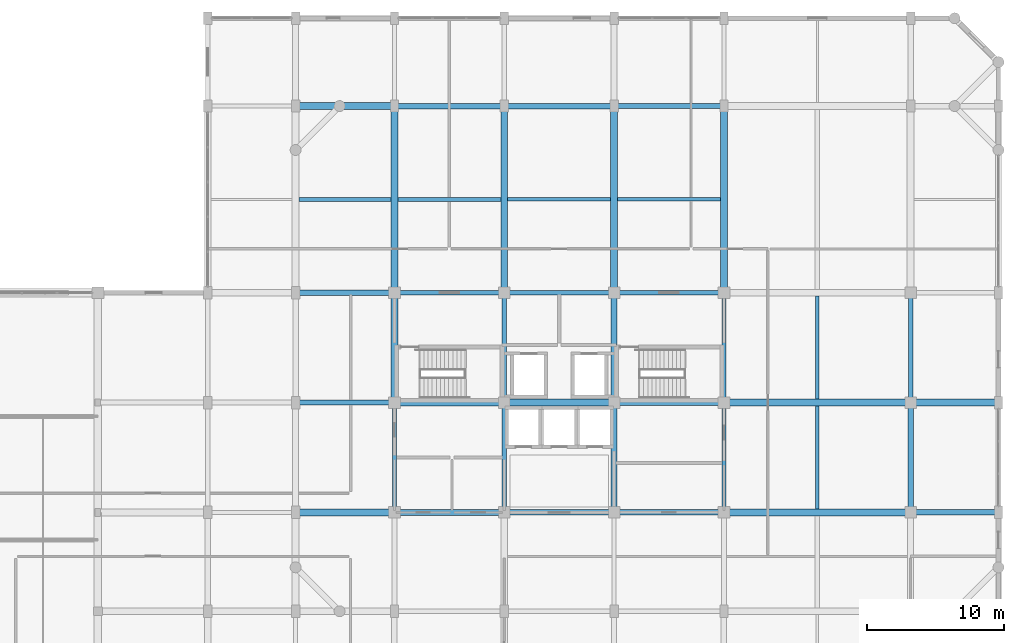
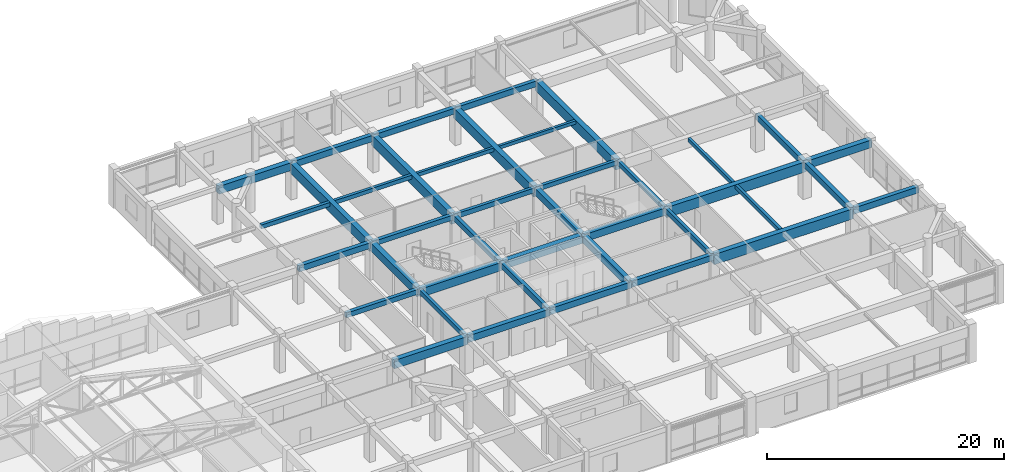
# One storey, part 12 of 27: 40 beams.
"""IFC4 building model written with IfcOpenShell, lengths in metres."""

from ifc_helpers import new_model, si_unit, direction, frame, origin, origin_2d, place, context, subcontext, project, spatial, rectangle, extrude, material, material_profile, profile_set, type_object, element, save


model = new_model("IFC4")

# Units and contexts
model_context = context("Model", 3, precision=1e-05, world=origin(), true_north=direction((0.0, 1.0)))
body_context = subcontext(model_context, "Body", "Model", "MODEL_VIEW")
ifc_project = project(units=[si_unit("LENGTHUNIT", "METRE"), si_unit("AREAUNIT", "SQUARE_METRE"), si_unit("VOLUMEUNIT", "CUBIC_METRE"), si_unit("PLANEANGLEUNIT", "RADIAN"), si_unit("MASSUNIT", "GRAM", prefix="KILO")], contexts=[model_context])

# Site, building, storey
site_placement = place(None, origin())
site = spatial("IfcSite", under=ifc_project, at=site_placement, CompositionType="ELEMENT")
building_placement = place(site_placement, origin())
building = spatial("IfcBuilding", under=site, at=building_placement, Name="Vellmiral Cinema and Media Centre", CompositionType="ELEMENT")
storey_placement = place(building_placement, frame((0.0, 0.0, 19.800048828125)))
storey = spatial("IfcBuildingStorey", under=building, at=storey_placement, Name="L04", CompositionType="ELEMENT", Elevation=19.800048828125)

# Beams
ifc_material_1 = material(Name="Concrete C40/50", Category="concrete")
ifc_material_profile_1 = material_profile(ifc_material_1, rectangle(XDim=0.300048828125, YDim=0.449951171875, at=origin_2d()), Name="RC 300x450")
ifc_profile_set_1 = profile_set([ifc_material_profile_1], Name="Concrete C40/50")
beam_type_1 = type_object("IfcBeamType", Name="BM-RC-300x450", PredefinedType="BEAM", material=ifc_profile_set_1)
for number, where, z_axis, x_axis, name in (
    (1, (140.0, 95.199951171875, 3.469970703125), (1.0, 0.0, 0.0), (0.0, 1.0, 0.0), "Grid Beam L04-X045"),
    (2, (124.0, 79.199951171875, 3.469970703125), (0.0, 1.0, 0.0), (-1.0, 0.0, 0.0), "Grid Beam L04-Y078"),
    (3, (148.0, 87.199951171875, 3.469970703125), (0.0, 1.0, 0.0), (-1.0, 0.0, 0.0), "Grid Beam L04-Y100"),
):
    element("IfcBeam", number, at=place(storey_placement, frame(where, z_axis=z_axis, x_axis=x_axis)), inside=storey, type_object=beam_type_1, Name=name, PredefinedType="BEAM", context=body_context, shape_type="SweptSolid", body=[
        extrude(rectangle(XDim=0.300048828125, YDim=0.449951171875, at=origin_2d()), origin(), (0.0, 0.0, 1.0), 8.0),
    ])
ifc_material_2 = material(Name="Concrete C40/50", Category="concrete")
ifc_material_profile_2 = material_profile(ifc_material_2, rectangle(XDim=0.300048828125, YDim=0.5, at=origin_2d()), Name="RC 300x500")
ifc_profile_set_2 = profile_set([ifc_material_profile_2], Name="Concrete C40/50")
beam_type_2 = type_object("IfcBeamType", Name="BM-RC-300x500", PredefinedType="BEAM", material=ifc_profile_set_2)
for number, where, z_axis, x_axis, name in (
    (4, (132.0, 95.199951171875, 3.445068359375), (1.0, 0.0, 0.0), (0.0, 1.0, 0.0), "Grid Beam L04-X044"),
    (5, (148.0, 79.199951171875, 3.445068359375), (0.0, 1.0, 0.0), (-1.0, 0.0, 0.0), "Grid Beam L04-Y099"),
):
    element("IfcBeam", number, at=place(storey_placement, frame(where, z_axis=z_axis, x_axis=x_axis)), inside=storey, type_object=beam_type_2, Name=name, PredefinedType="BEAM", context=body_context, shape_type="SweptSolid", body=[
        extrude(rectangle(XDim=0.300048828125, YDim=0.5, at=origin_2d()), origin(), (0.0, 0.0, 1.0), 8.0),
    ])
ifc_material_3 = material(Name="Concrete C40/50", Category="concrete")
ifc_material_profile_3 = material_profile(ifc_material_3, rectangle(XDim=0.35009765625, YDim=0.5, at=origin_2d()), Name="RC 350x500")
ifc_profile_set_3 = profile_set([ifc_material_profile_3], Name="Concrete C40/50")
beam_type_3 = type_object("IfcBeamType", Name="BM-RC-350x500", PredefinedType="BEAM", material=ifc_profile_set_3)
beam_1_placement = place(storey_placement, frame((116.800048828125, 87.199951171875, 3.445068359375), z_axis=(1.0, 0.0, 0.0), x_axis=(0.0, 1.0, 0.0)))
element("IfcBeam", 6, at=beam_1_placement, inside=storey, type_object=beam_type_3, Name="Grid Beam L04-X034", PredefinedType="BEAM", context=body_context, shape_type="SweptSolid", body=[
    extrude(rectangle(XDim=0.35009765625, YDim=0.5, at=origin_2d()), origin(), (0.0, 0.0, 1.0), 7.199951171875),
])
beam_2_placement = place(storey_placement, frame((124.0, 95.199951171875, 3.445068359375), z_axis=(1.0, 0.0, 0.0), x_axis=(0.0, 1.0, 0.0)))
element("IfcBeam", 7, at=beam_2_placement, inside=storey, type_object=beam_type_3, Name="Grid Beam L04-X043", PredefinedType="BEAM", context=body_context, shape_type="SweptSolid", body=[
    extrude(rectangle(XDim=0.35009765625, YDim=0.5, at=origin_2d()), origin(), (0.0, 0.0, 1.0), 8.0),
])
ifc_material_4 = material(Name="Concrete C40/50", Category="concrete")
ifc_material_profile_4 = material_profile(ifc_material_4, rectangle(XDim=0.35009765625, YDim=0.550048828125, at=origin_2d()), Name="RC 350x550")
ifc_profile_set_4 = profile_set([ifc_material_profile_4], Name="Concrete C40/50")
beam_type_4 = type_object("IfcBeamType", Name="BM-RC-350x550", PredefinedType="BEAM", material=ifc_profile_set_4)
beam_3_placement = place(storey_placement, frame((132.0, 87.199951171875, 3.419921875), z_axis=(0.0, 1.0, 0.0), x_axis=(-1.0, 0.0, 0.0)))
element("IfcBeam", 8, at=beam_3_placement, inside=storey, type_object=beam_type_4, Name="Grid Beam L04-Y086", PredefinedType="BEAM", context=body_context, shape_type="SweptSolid", body=[
    extrude(rectangle(XDim=0.35009765625, YDim=0.550048828125, at=origin_2d()), origin(), (0.0, 0.0, 1.0), 8.0),
])
ifc_material_5 = material(Name="Concrete C40/50", Category="concrete")
ifc_material_profile_5 = material_profile(ifc_material_5, rectangle(XDim=0.35009765625, YDim=0.60009765625, at=origin_2d()), Name="RC 350x600")
ifc_profile_set_5 = profile_set([ifc_material_profile_5], Name="Concrete C40/50")
beam_type_5 = type_object("IfcBeamType", Name="BM-RC-350x600", PredefinedType="BEAM", material=ifc_profile_set_5)
for number, where, z_axis, x_axis, name in (
    (9, (140.0, 108.800048828125, 3.39501953125), (1.0, 0.0, 0.0), (0.0, 1.0, 0.0), "Grid Beam L04-X052"),
    (10, (132.0, 79.199951171875, 3.39501953125), (0.0, 1.0, 0.0), (-1.0, 0.0, 0.0), "Grid Beam L04-Y085"),
    (11, (161.60009765625, 87.199951171875, 3.39501953125), (0.0, 1.0, 0.0), (-1.0, 0.0, 0.0), "Grid Beam L04-Y107"),
):
    element("IfcBeam", number, at=place(storey_placement, frame(where, z_axis=z_axis, x_axis=x_axis)), inside=storey, type_object=beam_type_5, Name=name, PredefinedType="BEAM", context=body_context, shape_type="SweptSolid", body=[
        extrude(rectangle(XDim=0.35009765625, YDim=0.60009765625, at=origin_2d()), origin(), (0.0, 0.0, 1.0), 8.0),
    ])
ifc_material_6 = material(Name="Concrete C40/50", Category="concrete")
ifc_material_profile_6 = material_profile(ifc_material_6, rectangle(XDim=0.39990234375, YDim=0.60009765625, at=origin_2d()), Name="RC 400x600")
ifc_profile_set_6 = profile_set([ifc_material_profile_6], Name="Concrete C40/50")
beam_type_6 = type_object("IfcBeamType", Name="BM-RC-400x600", PredefinedType="BEAM", material=ifc_profile_set_6)
beam_4_placement = place(storey_placement, frame((140.0, 79.199951171875, 3.39501953125), z_axis=(1.0, 0.0, 0.0), x_axis=(0.0, 1.0, 0.0)))
element("IfcBeam", 12, at=beam_4_placement, inside=storey, type_object=beam_type_6, Name="Grid Beam L04-X029", PredefinedType="BEAM", context=body_context, shape_type="SweptSolid", body=[
    extrude(rectangle(XDim=0.39990234375, YDim=0.60009765625, at=origin_2d()), origin(), (0.0, 0.0, 1.0), 8.0),
])
beam_5_placement = place(storey_placement, frame((116.800048828125, 95.199951171875, 3.39501953125), z_axis=(1.0, 0.0, 0.0), x_axis=(0.0, 1.0, 0.0)))
element("IfcBeam", 13, at=beam_5_placement, inside=storey, type_object=beam_type_6, Name="Grid Beam L04-X042", PredefinedType="BEAM", context=body_context, shape_type="SweptSolid", body=[
    extrude(rectangle(XDim=0.39990234375, YDim=0.60009765625, at=origin_2d()), origin(), (0.0, 0.0, 1.0), 7.199951171875),
])
for number, where, z_axis, x_axis, name in (
    (14, (132.0, 108.800048828125, 3.39501953125), (1.0, 0.0, 0.0), (0.0, 1.0, 0.0), "Grid Beam L04-X051"),
    (15, (161.60009765625, 79.199951171875, 3.39501953125), (0.0, 1.0, 0.0), (-1.0, 0.0, 0.0), "Grid Beam L04-Y106"),
):
    element("IfcBeam", number, at=place(storey_placement, frame(where, z_axis=z_axis, x_axis=x_axis)), inside=storey, type_object=beam_type_6, Name=name, PredefinedType="BEAM", context=body_context, shape_type="SweptSolid", body=[
        extrude(rectangle(XDim=0.39990234375, YDim=0.60009765625, at=origin_2d()), origin(), (0.0, 0.0, 1.0), 8.0),
    ])
ifc_material_7 = material(Name="Concrete C40/50", Category="concrete")
ifc_material_profile_7 = material_profile(ifc_material_7, rectangle(XDim=0.39990234375, YDim=0.64990234375, at=origin_2d()), Name="RC 400x650")
ifc_profile_set_7 = profile_set([ifc_material_profile_7], Name="Concrete C40/50")
beam_type_7 = type_object("IfcBeamType", Name="BM-RC-400x650", PredefinedType="BEAM", material=ifc_profile_set_7)
beam_6_placement = place(storey_placement, frame((132.0, 79.199951171875, 3.369873046875), z_axis=(1.0, 0.0, 0.0), x_axis=(0.0, 1.0, 0.0)))
element("IfcBeam", 16, at=beam_6_placement, inside=storey, type_object=beam_type_7, Name="Grid Beam L04-X028", PredefinedType="BEAM", context=body_context, shape_type="SweptSolid", body=[
    extrude(rectangle(XDim=0.39990234375, YDim=0.64990234375, at=origin_2d()), origin(), (0.0, 0.0, 1.0), 8.0),
])
beam_7_placement = place(storey_placement, frame((161.60009765625, 79.199951171875, 3.369873046875), z_axis=(1.0, 0.0, 0.0), x_axis=(0.0, 1.0, 0.0)))
element("IfcBeam", 17, at=beam_7_placement, inside=storey, type_object=beam_type_7, Name="Grid Beam L04-X031", PredefinedType="BEAM", context=body_context, shape_type="SweptSolid", body=[
    extrude(rectangle(XDim=0.39990234375, YDim=0.64990234375, at=origin_2d()), origin(), (0.0, 0.0, 1.0), 6.39990234375),
])
beam_8_placement = place(storey_placement, frame((124.0, 108.800048828125, 3.369873046875), z_axis=(1.0, 0.0, 0.0), x_axis=(0.0, 1.0, 0.0)))
element("IfcBeam", 18, at=beam_8_placement, inside=storey, type_object=beam_type_7, Name="Grid Beam L04-X050", PredefinedType="BEAM", context=body_context, shape_type="SweptSolid", body=[
    extrude(rectangle(XDim=0.39990234375, YDim=0.64990234375, at=origin_2d()), origin(), (0.0, 0.0, 1.0), 8.0),
])
ifc_material_8 = material(Name="Concrete C40/50", Category="concrete")
ifc_material_profile_8 = material_profile(ifc_material_8, rectangle(XDim=0.449951171875, YDim=0.699951171875, at=origin_2d()), Name="RC 450x700")
ifc_profile_set_8 = profile_set([ifc_material_profile_8], Name="Concrete C40/50")
beam_type_8 = type_object("IfcBeamType", Name="BM-RC-450x700", PredefinedType="BEAM", material=ifc_profile_set_8)
for number, where, z_axis, x_axis, name in (
    (19, (124.0, 79.199951171875, 3.344970703125), (1.0, 0.0, 0.0), (0.0, 1.0, 0.0), "Grid Beam L04-X027"),
    (20, (140.0, 87.199951171875, 3.344970703125), (0.0, 1.0, 0.0), (-1.0, 0.0, 0.0), "Grid Beam L04-Y093"),
):
    element("IfcBeam", number, at=place(storey_placement, frame(where, z_axis=z_axis, x_axis=x_axis)), inside=storey, type_object=beam_type_8, Name=name, PredefinedType="BEAM", context=body_context, shape_type="SweptSolid", body=[
        extrude(rectangle(XDim=0.449951171875, YDim=0.699951171875, at=origin_2d()), origin(), (0.0, 0.0, 1.0), 8.0),
    ])
ifc_material_9 = material(Name="Concrete C40/50", Category="concrete")
ifc_material_profile_9 = material_profile(ifc_material_9, rectangle(XDim=0.449951171875, YDim=0.75, at=origin_2d()), Name="RC 450x750")
ifc_profile_set_9 = profile_set([ifc_material_profile_9], Name="Concrete C40/50")
beam_type_9 = type_object("IfcBeamType", Name="BM-RC-450x750", PredefinedType="BEAM", material=ifc_profile_set_9)
for number, where, z_axis, x_axis, name in (
    (21, (140.0, 87.199951171875, 3.320068359375), (1.0, 0.0, 0.0), (0.0, 1.0, 0.0), "Grid Beam L04-X037"),
    (22, (140.0, 79.199951171875, 3.320068359375), (0.0, 1.0, 0.0), (-1.0, 0.0, 0.0), "Grid Beam L04-Y092"),
):
    element("IfcBeam", number, at=place(storey_placement, frame(where, z_axis=z_axis, x_axis=x_axis)), inside=storey, type_object=beam_type_9, Name=name, PredefinedType="BEAM", context=body_context, shape_type="SweptSolid", body=[
        extrude(rectangle(XDim=0.449951171875, YDim=0.75, at=origin_2d()), origin(), (0.0, 0.0, 1.0), 8.0),
    ])
ifc_material_10 = material(Name="Concrete C40/50", Category="concrete")
ifc_material_profile_10 = material_profile(ifc_material_10, rectangle(XDim=0.5, YDim=0.800048828125, at=origin_2d()), Name="RC 500x800")
ifc_profile_set_10 = profile_set([ifc_material_profile_10], Name="Concrete C40/50")
beam_type_10 = type_object("IfcBeamType", Name="BM-RC-500x800", PredefinedType="BEAM", material=ifc_profile_set_10)
beam_9_placement = place(storey_placement, frame((132.0, 87.199951171875, 3.294921875), z_axis=(1.0, 0.0, 0.0), x_axis=(0.0, 1.0, 0.0)))
element("IfcBeam", 23, at=beam_9_placement, inside=storey, type_object=beam_type_10, Name="Grid Beam L04-X036", PredefinedType="BEAM", context=body_context, shape_type="SweptSolid", body=[
    extrude(rectangle(XDim=0.5, YDim=0.800048828125, at=origin_2d()), origin(), (0.0, 0.0, 1.0), 8.0),
])
beam_10_placement = place(storey_placement, frame((161.60009765625, 87.199951171875, 3.294921875), z_axis=(1.0, 0.0, 0.0), x_axis=(0.0, 1.0, 0.0)))
element("IfcBeam", 24, at=beam_10_placement, inside=storey, type_object=beam_type_10, Name="Grid Beam L04-X039", PredefinedType="BEAM", context=body_context, shape_type="SweptSolid", body=[
    extrude(rectangle(XDim=0.5, YDim=0.800048828125, at=origin_2d()), origin(), (0.0, 0.0, 1.0), 6.39990234375),
])
beam_11_placement = place(storey_placement, frame((116.800048828125, 108.800048828125, 3.294921875), z_axis=(1.0, 0.0, 0.0), x_axis=(0.0, 1.0, 0.0)))
element("IfcBeam", 25, at=beam_11_placement, inside=storey, type_object=beam_type_10, Name="Grid Beam L04-X049", PredefinedType="BEAM", context=body_context, shape_type="SweptSolid", body=[
    extrude(rectangle(XDim=0.5, YDim=0.800048828125, at=origin_2d()), origin(), (0.0, 0.0, 1.0), 7.199951171875),
])
ifc_material_11 = material(Name="Concrete C40/50", Category="concrete")
ifc_material_profile_11 = material_profile(ifc_material_11, rectangle(XDim=0.5, YDim=0.85009765625, at=origin_2d()), Name="RC 500x850")
ifc_profile_set_11 = profile_set([ifc_material_profile_11], Name="Concrete C40/50")
beam_type_11 = type_object("IfcBeamType", Name="BM-RC-500x850", PredefinedType="BEAM", material=ifc_profile_set_11)
beam_12_placement = place(storey_placement, frame((116.800048828125, 79.199951171875, 3.27001953125), z_axis=(1.0, 0.0, 0.0), x_axis=(0.0, 1.0, 0.0)))
element("IfcBeam", 26, at=beam_12_placement, inside=storey, type_object=beam_type_11, Name="Grid Beam L04-X026", PredefinedType="BEAM", context=body_context, shape_type="SweptSolid", body=[
    extrude(rectangle(XDim=0.5, YDim=0.85009765625, at=origin_2d()), origin(), (0.0, 0.0, 1.0), 7.199951171875),
])
for number, where, z_axis, x_axis, name in (
    (27, (124.0, 87.199951171875, 3.27001953125), (1.0, 0.0, 0.0), (0.0, 1.0, 0.0), "Grid Beam L04-X035"),
    (28, (124.0, 87.199951171875, 3.27001953125), (0.0, 1.0, 0.0), (-1.0, 0.0, 0.0), "Grid Beam L04-Y079"),
):
    element("IfcBeam", number, at=place(storey_placement, frame(where, z_axis=z_axis, x_axis=x_axis)), inside=storey, type_object=beam_type_11, Name=name, PredefinedType="BEAM", context=body_context, shape_type="SweptSolid", body=[
        extrude(rectangle(XDim=0.5, YDim=0.85009765625, at=origin_2d()), origin(), (0.0, 0.0, 1.0), 8.0),
    ])
ifc_material_12 = material(Name="Concrete C40/50", Category="concrete")
ifc_material_profile_12 = material_profile(ifc_material_12, rectangle(XDim=0.5, YDim=1.050048828125, at=origin_2d()), Name="RC 500x1050")
ifc_profile_set_12 = profile_set([ifc_material_profile_12], Name="Concrete C40/50")
beam_type_12 = type_object("IfcBeamType", Name="BM-RCG-500x1050", PredefinedType="BEAM", material=ifc_profile_set_12)
for number, where, z_axis, x_axis, name in (
    (29, (148.0, 79.199951171875, 3.169921875), (1.0, 0.0, 0.0), (0.0, 1.0, 0.0), "Grid Beam L04-X030"),
    (30, (148.0, 87.199951171875, 3.169921875), (1.0, 0.0, 0.0), (0.0, 1.0, 0.0), "Grid Beam L04-X038"),
    (31, (124.0, 95.199951171875, 3.169921875), (0.0, 1.0, 0.0), (-1.0, 0.0, 0.0), "Grid Beam L04-Y080"),
    (32, (132.0, 95.199951171875, 3.169921875), (0.0, 1.0, 0.0), (-1.0, 0.0, 0.0), "Grid Beam L04-Y087"),
    (33, (140.0, 95.199951171875, 3.169921875), (0.0, 1.0, 0.0), (-1.0, 0.0, 0.0), "Grid Beam L04-Y094"),
    (34, (148.0, 95.199951171875, 3.169921875), (0.0, 1.0, 0.0), (-1.0, 0.0, 0.0), "Grid Beam L04-Y101"),
):
    element("IfcBeam", number, at=place(storey_placement, frame(where, z_axis=z_axis, x_axis=x_axis)), inside=storey, type_object=beam_type_12, Name=name, PredefinedType="BEAM", context=body_context, shape_type="SweptSolid", body=[
        extrude(rectangle(XDim=0.5, YDim=1.050048828125, at=origin_2d()), origin(), (0.0, 0.0, 1.0), 13.60009765625),
    ])
ifc_material_13 = material(Name="Concrete C40/50", Category="concrete")
ifc_material_profile_13 = material_profile(ifc_material_13, rectangle(XDim=0.25, YDim=0.35009765625, at=origin_2d()), Name="RC 250x350")
ifc_profile_set_13 = profile_set([ifc_material_profile_13], Name="Concrete C40/50")
beam_type_13 = type_object("IfcBeamType", Name="JST-RC-250x350", PredefinedType="JOIST", material=ifc_profile_set_13)
beam_13_placement = place(storey_placement, frame((140.25, 102.0, 3.52001953125), z_axis=(1.0, 0.0, 0.0), x_axis=(0.0, 1.0, 0.0)))
element("IfcBeam", 35, at=beam_13_placement, inside=storey, type_object=beam_type_13, Name="Secondary Floor Joist L04-005", PredefinedType="JOIST", context=body_context, shape_type="SweptSolid", body=[
    extrude(rectangle(XDim=0.25, YDim=0.35009765625, at=origin_2d()), origin(), (0.0, 0.0, 1.0), 7.5),
])
ifc_material_14 = material(Name="Concrete C40/50", Category="concrete")
ifc_material_profile_14 = material_profile(ifc_material_14, rectangle(XDim=0.260009765625, YDim=0.3798828125, at=origin_2d()), Name="RC 260x380")
ifc_profile_set_14 = profile_set([ifc_material_profile_14], Name="Concrete C40/50")
beam_type_14 = type_object("IfcBeamType", Name="JST-RC-260x380", PredefinedType="JOIST", material=ifc_profile_set_14)
for number, where, z_axis, x_axis, name in (
    (36, (132.25, 102.0, 3.5048828125), (1.0, 0.0, 0.0), (0.0, 1.0, 0.0), "Secondary Floor Joist L04-004"),
    (37, (154.800048828125, 87.449951171875, 3.5048828125), (0.0, 1.0, 0.0), (-1.0, 0.0, 0.0), "Secondary Floor Joist L04-010"),
):
    element("IfcBeam", number, at=place(storey_placement, frame(where, z_axis=z_axis, x_axis=x_axis)), inside=storey, type_object=beam_type_14, Name=name, PredefinedType="JOIST", context=body_context, shape_type="SweptSolid", body=[
        extrude(rectangle(XDim=0.260009765625, YDim=0.3798828125, at=origin_2d()), origin(), (0.0, 0.0, 1.0), 7.5),
    ])
ifc_material_15 = material(Name="Concrete C40/50", Category="concrete")
ifc_material_profile_15 = material_profile(ifc_material_15, rectangle(XDim=0.280029296875, YDim=0.39990234375, at=origin_2d()), Name="RC 280x400")
ifc_profile_set_15 = profile_set([ifc_material_profile_15], Name="Concrete C40/50")
beam_type_15 = type_object("IfcBeamType", Name="JST-RC-280x400", PredefinedType="JOIST", material=ifc_profile_set_15)
for number, where, z_axis, x_axis, name in (
    (38, (124.25, 102.0, 3.494873046875), (1.0, 0.0, 0.0), (0.0, 1.0, 0.0), "Secondary Floor Joist L04-003"),
    (39, (154.800048828125, 79.449951171875, 3.494873046875), (0.0, 1.0, 0.0), (-1.0, 0.0, 0.0), "Secondary Floor Joist L04-009"),
):
    element("IfcBeam", number, at=place(storey_placement, frame(where, z_axis=z_axis, x_axis=x_axis)), inside=storey, type_object=beam_type_15, Name=name, PredefinedType="JOIST", context=body_context, shape_type="SweptSolid", body=[
        extrude(rectangle(XDim=0.280029296875, YDim=0.39990234375, at=origin_2d()), origin(), (0.0, 0.0, 1.0), 7.5),
    ])
ifc_material_16 = material(Name="Concrete C40/50", Category="concrete")
ifc_material_profile_16 = material_profile(ifc_material_16, rectangle(XDim=0.300048828125, YDim=0.419921875, at=origin_2d()), Name="RC 300x420")
ifc_profile_set_16 = profile_set([ifc_material_profile_16], Name="Concrete C40/50")
beam_type_16 = type_object("IfcBeamType", Name="JST-RC-300x420", PredefinedType="JOIST", material=ifc_profile_set_16)
beam_14_placement = place(storey_placement, frame((117.050048828125, 102.0, 3.48486328125), z_axis=(1.0, 0.0, 0.0), x_axis=(0.0, 1.0, 0.0)))
element("IfcBeam", 40, at=beam_14_placement, inside=storey, type_object=beam_type_16, Name="Secondary Floor Joist L04-002", PredefinedType="JOIST", context=body_context, shape_type="SweptSolid", body=[
    extrude(rectangle(XDim=0.300048828125, YDim=0.419921875, at=origin_2d()), origin(), (0.0, 0.0, 1.0), 6.699951171875),
])

save(model, "model.ifc")
